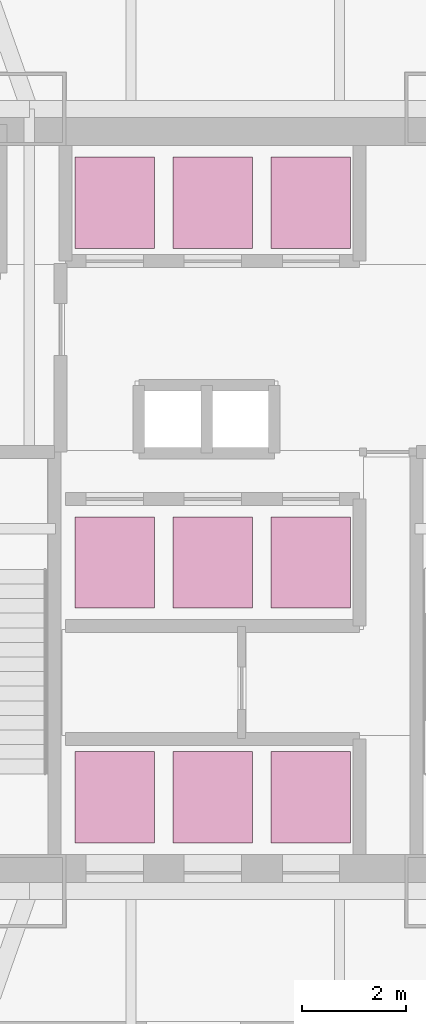
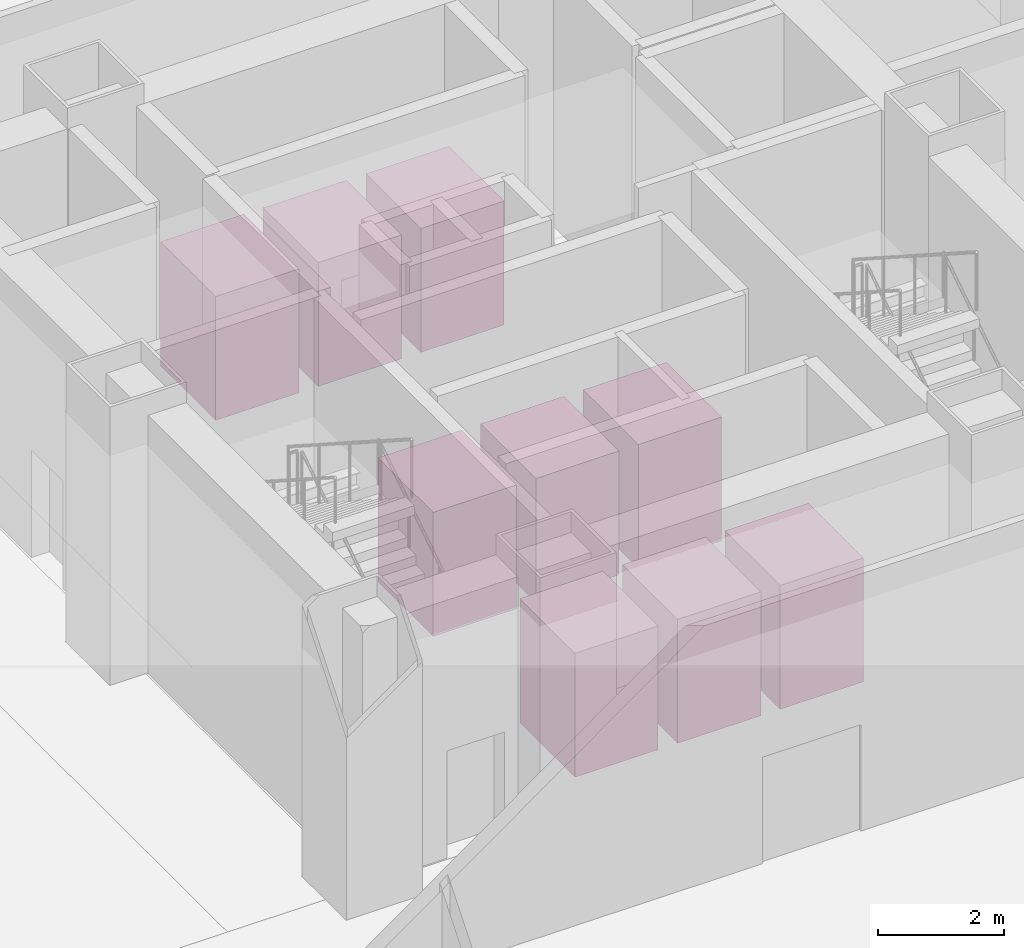
# One storey, part 24 of 24: 9 transport elements.
"""IFC4 building model written with IfcOpenShell, lengths in metres."""

from ifc_helpers import new_model, si_unit, direction, frame, origin, origin_2d, place, context, subcontext, project, spatial, rectangle, extrude, material, type_object, element, save


model = new_model("IFC4")

# Units and contexts
model_context = context("Model", 3, precision=1e-05, world=origin(), true_north=direction((0.0, 1.0)))
body_context = subcontext(model_context, "Body", "Model", "MODEL_VIEW")
ifc_project = project(units=[si_unit("LENGTHUNIT", "METRE"), si_unit("AREAUNIT", "SQUARE_METRE"), si_unit("VOLUMEUNIT", "CUBIC_METRE"), si_unit("PLANEANGLEUNIT", "RADIAN"), si_unit("MASSUNIT", "GRAM", prefix="KILO")], contexts=[model_context])

# Site, building, storey
site_placement = place(None, origin())
site = spatial("IfcSite", under=ifc_project, at=site_placement, CompositionType="ELEMENT")
building_placement = place(site_placement, origin())
building = spatial("IfcBuilding", under=site, at=building_placement, Name="Trevonay Congress Spire", CompositionType="ELEMENT")
storey_placement = place(building_placement, origin())
storey = spatial("IfcBuildingStorey", under=building, at=storey_placement, Name="L00", CompositionType="ELEMENT", Elevation=0.0)

# Transport elements
ifc_material = material(Name="Pale Anodised Aluminium EN AW-6063-T6", Category="aluminium")
transport_element_type = type_object("IfcTransportElementType", Name="LFT-PASS-2100", PredefinedType="ELEVATOR", material=ifc_material)
for number, where, z_axis, x_axis, name in (
    (1, (-2.31005859375, -5.699951171875, 0.0), (0.0, 0.0, 1.0), (1.0, 0.0, 0.0), "Passenger elevator PL-01 car (low bank)"),
    (2, (-0.429931640625, -5.699951171875, 0.0), (0.0, 0.0, 1.0), (1.0, 0.0, 0.0), "Passenger elevator PL-02 car (low bank)"),
    (3, (1.449951171875, -5.699951171875, 0.0), (0.0, 0.0, 1.0), (1.0, 0.0, 0.0), "Passenger elevator PL-03 car (low bank)"),
    (4, (-2.31005859375, -1.199951171875, 0.0), (0.0, 0.0, 1.0), (1.0, 0.0, 0.0), "Passenger elevator PL-04 car (mid bank)"),
    (5, (-0.429931640625, -1.199951171875, 0.0), (0.0, 0.0, 1.0), (1.0, 0.0, 0.0), "Passenger elevator PL-05 car (mid bank)"),
    (6, (1.449951171875, -1.199951171875, 0.0), (0.0, 0.0, 1.0), (1.0, 0.0, 0.0), "Passenger elevator PL-06 car (mid bank)"),
    (7, (-2.31005859375, 5.699951171875, 0.0), (0.0, 0.0, 1.0), (1.0, 0.0, 0.0), "Passenger elevator PL-07 car (high bank)"),
    (8, (-0.429931640625, 5.699951171875, 0.0), (0.0, 0.0, 1.0), (1.0, 0.0, 0.0), "Passenger elevator PL-08 car (high bank)"),
    (9, (1.449951171875, 5.699951171875, 0.0), (0.0, 0.0, 1.0), (1.0, 0.0, 0.0), "Passenger elevator PL-09 car (high bank)"),
):
    element("IfcTransportElement", number, at=place(storey_placement, frame(where, z_axis=z_axis, x_axis=x_axis)), inside=storey, type_object=transport_element_type, Name=name, PredefinedType="ELEVATOR", context=body_context, shape_type="SweptSolid", body=[
        extrude(rectangle(XDim=1.52490234375, YDim=1.75, at=origin_2d()), origin(), (0.0, 0.0, 1.0), 2.39990234375),
    ])

save(model, "model.ifc")
